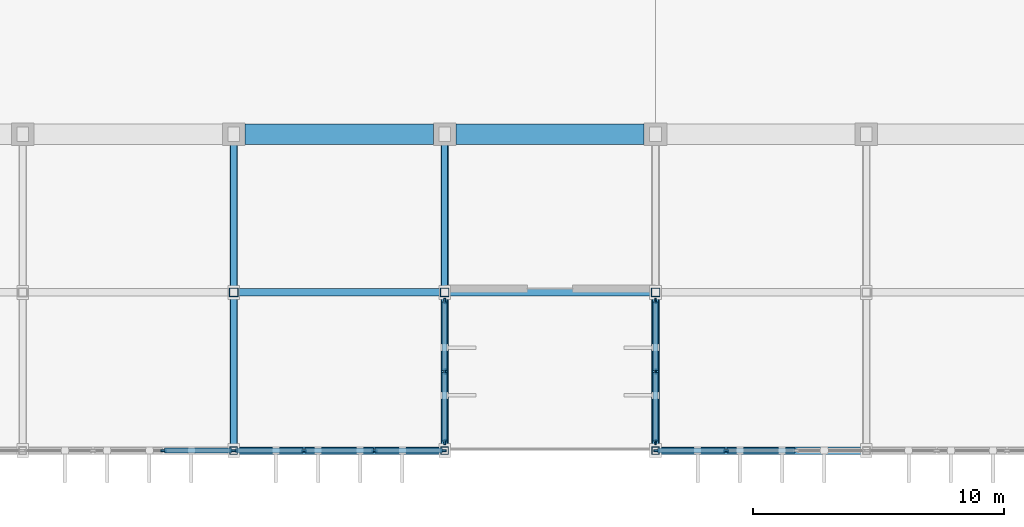
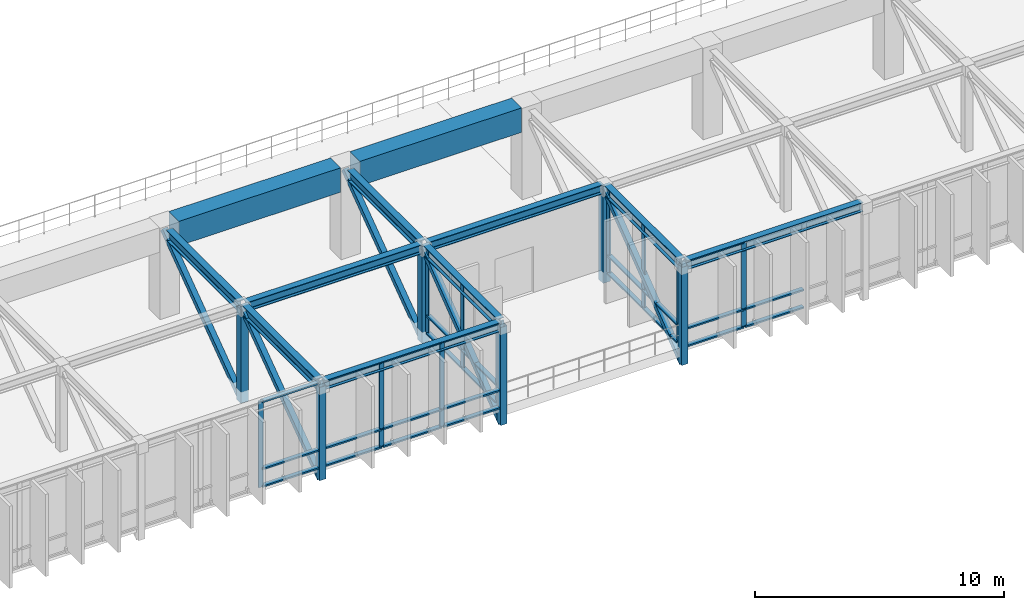
# One storey, part 7 of 40: 54 members, 11 beams, 5 elements without a shape of their own.
"""IFC4 building model written with IfcOpenShell, lengths in metres."""

from ifc_helpers import new_model, si_unit, direction, frame, origin, origin_2d, place, context, subcontext, project, spatial, rectangle, hollow_rectangle, i_section, extrude, material, material_profile, profile_set, type_object, element, aggregate, save


model = new_model("IFC4")

# Units and contexts
model_context = context("Model", 3, precision=1e-05, world=origin(), true_north=direction((0.0, 1.0)))
body_context = subcontext(model_context, "Body", "Model", "MODEL_VIEW")
ifc_project = project(units=[si_unit("LENGTHUNIT", "METRE"), si_unit("AREAUNIT", "SQUARE_METRE"), si_unit("VOLUMEUNIT", "CUBIC_METRE"), si_unit("PLANEANGLEUNIT", "RADIAN"), si_unit("MASSUNIT", "GRAM", prefix="KILO")], contexts=[model_context])

# Site, building, storey
site_placement = place(None, origin())
site = spatial("IfcSite", under=ifc_project, at=site_placement, CompositionType="ELEMENT")
building_placement = place(site_placement, origin())
building = spatial("IfcBuilding", under=site, at=building_placement, Name="Kenerak Square Central Library", CompositionType="ELEMENT")
storey_placement = place(building_placement, frame((0.0, 0.0, 14.39990234375)))
storey = spatial("IfcBuildingStorey", under=building, at=storey_placement, Name="L03", CompositionType="ELEMENT", Elevation=14.39990234375)

# Beams
ifc_material_1 = material(Name="Steel S355", Category="steel")
ifc_material_profile_1 = material_profile(ifc_material_1, i_section(OverallWidth=0.300048828125, OverallDepth=0.5, WebThickness=0.014404296875, FlangeThickness=0.028076171875, FilletRadius=0.027099609375, at=origin_2d()), Name="HEB 500")
ifc_profile_set_1 = profile_set([ifc_material_profile_1], Name="Steel S355")
beam_type_1 = type_object("IfcBeamType", Name="Backspan Steel Girder SB-03 HEB 500 S355", PredefinedType="BEAM", material=ifc_profile_set_1)
beam_1_placement = place(storey_placement, frame((75.199951171875, 4.320068359375, 4.025146484375), z_axis=(0.0, 1.0, 0.0), x_axis=(-1.0, 0.0, 0.0)))
element("IfcBeam", 1, at=beam_1_placement, inside=storey, type_object=beam_type_1, Name="Wall-Truss Chord 3 L03 039", PredefinedType="BEAM", context=body_context, shape_type="SweptSolid", body=[
    extrude(i_section(OverallWidth=0.300048828125, OverallDepth=0.5, WebThickness=0.014404296875, FlangeThickness=0.028076171875, FilletRadius=0.027099609375, at=origin_2d()), origin(), (0.0, 0.0, 1.0), 6.059814453125),
])
beam_2_placement = place(storey_placement, frame((75.199951171875, 10.6201171875, 4.025146484375), z_axis=(0.0, 1.0, 0.0), x_axis=(-1.0, 0.0, 0.0)))
element("IfcBeam", 2, at=beam_2_placement, inside=storey, type_object=beam_type_1, Name="Wall-Truss Chord 3 L03 040", PredefinedType="BEAM", context=body_context, shape_type="SweptSolid", body=[
    extrude(i_section(OverallWidth=0.300048828125, OverallDepth=0.5, WebThickness=0.014404296875, FlangeThickness=0.028076171875, FilletRadius=0.027099609375, at=origin_2d()), origin(), (0.0, 0.0, 1.0), 5.77978515625),
])
beam_3_placement = place(storey_placement, frame((83.60009765625, 4.320068359375, 4.025146484375), z_axis=(0.0, 1.0, 0.0), x_axis=(-1.0, 0.0, 0.0)))
element("IfcBeam", 3, at=beam_3_placement, inside=storey, type_object=beam_type_1, Name="Wall-Truss Chord 4 L03 055", PredefinedType="BEAM", context=body_context, shape_type="SweptSolid", body=[
    extrude(i_section(OverallWidth=0.300048828125, OverallDepth=0.5, WebThickness=0.014404296875, FlangeThickness=0.028076171875, FilletRadius=0.027099609375, at=origin_2d()), origin(), (0.0, 0.0, 1.0), 6.059814453125),
])
beam_4_placement = place(storey_placement, frame((83.60009765625, 10.6201171875, 4.025146484375), z_axis=(0.0, 1.0, 0.0), x_axis=(-1.0, 0.0, 0.0)))
element("IfcBeam", 4, at=beam_4_placement, inside=storey, type_object=beam_type_1, Name="Wall-Truss Chord 4 L03 056", PredefinedType="BEAM", context=body_context, shape_type="SweptSolid", body=[
    extrude(i_section(OverallWidth=0.300048828125, OverallDepth=0.5, WebThickness=0.014404296875, FlangeThickness=0.028076171875, FilletRadius=0.027099609375, at=origin_2d()), origin(), (0.0, 0.0, 1.0), 5.77978515625),
])
beam_5_placement = place(storey_placement, frame((92.0, 4.320068359375, 4.025146484375), z_axis=(0.0, 1.0, 0.0), x_axis=(-1.0, 0.0, 0.0)))
element("IfcBeam", 5, at=beam_5_placement, inside=storey, type_object=beam_type_1, Name="Wall-Truss Chord 5 L03 071", PredefinedType="BEAM", context=body_context, shape_type="SweptSolid", body=[
    extrude(i_section(OverallWidth=0.300048828125, OverallDepth=0.5, WebThickness=0.014404296875, FlangeThickness=0.028076171875, FilletRadius=0.027099609375, at=origin_2d()), origin(), (0.0, 0.0, 1.0), 6.059814453125),
])

# Curtain wall, members
ifc_material_2 = material(Name="Anodised aluminium and solar-control low-E glazing", Category="aluminium")
curtain_wall_type_1 = type_object("IfcCurtainWallType", Name="Curtain Wall CW-V1-84x42 8400x4230", PredefinedType="USERDEFINED", material=ifc_material_2)
curtain_wall_1_placement = place(storey_placement, origin())
curtain_wall_1 = element("IfcCurtainWall", 6, at=curtain_wall_1_placement, inside=storey, type_object=curtain_wall_type_1, Name="Curtain Wall CW-V1-84x42 L03 0131", ObjectType="CURTAIN WALL", PredefinedType="USERDEFINED")
ifc_material_3 = material(Name="Anodised aluminium 6063-T6", Category="aluminium")
ifc_material_profile_2 = material_profile(ifc_material_3, rectangle(XDim=0.074951171875, YDim=0.219970703125, at=origin_2d()), Name="AL MULLION 75x220")
ifc_profile_set_2 = profile_set([ifc_material_profile_2], Name="Anodised aluminium 6063-T6")
member_type_1 = type_object("IfcMemberType", Name="Curtain Mullion CM-02 75x220", PredefinedType="MULLION", material=ifc_profile_set_2)
member_1_placement = place(storey_placement, frame((94.800048828125, 4.199951171875, 0.0), z_axis=(0.0, 0.0, 1.0), x_axis=(0.0, -1.0, 0.0)))
member_1 = element("IfcMember", 7, at=member_1_placement, type_object=member_type_1, Name="CW-V1-84x42 Mullion 3", PredefinedType="MULLION", context=body_context, shape_type="SweptSolid", body=[
    extrude(rectangle(XDim=0.074951171875, YDim=0.219970703125, at=origin_2d()), origin(), (0.0, 0.0, 1.0), 4.22998046875),
])
member_2_placement = place(storey_placement, frame((92.03759765625, 4.199951171875, 0.0), z_axis=(0.0, 0.0, 1.0), x_axis=(0.0, -1.0, 0.0)))
member_2 = element("IfcMember", 8, at=member_2_placement, type_object=member_type_1, Name="CW-V1-84x42 Mullion 4", PredefinedType="MULLION", context=body_context, shape_type="SweptSolid", body=[
    extrude(rectangle(XDim=0.074951171875, YDim=0.219970703125, at=origin_2d()), origin(), (0.0, 0.0, 1.0), 4.22998046875),
])

curtain_wall_type_2 = type_object("IfcCurtainWallType", Name="Curtain Wall CW-V1-57x42 5700x4230", PredefinedType="USERDEFINED", material=ifc_material_2)
curtain_wall_2_placement = place(storey_placement, origin())
curtain_wall_2 = element("IfcCurtainWall", 9, at=curtain_wall_2_placement, inside=storey, type_object=curtain_wall_type_2, Name="Curtain Wall CW-V1-57x42 L03 0132", ObjectType="CURTAIN WALL", PredefinedType="USERDEFINED")
member_3_placement = place(storey_placement, frame((92.0, 4.53759765625, 0.0), z_axis=(0.0, 0.0, 1.0), x_axis=(-1.0, 0.0, 0.0)))
member_3 = element("IfcMember", 10, at=member_3_placement, type_object=member_type_1, Name="CW-V1-57x42 Mullion 1", PredefinedType="MULLION", context=body_context, shape_type="SweptSolid", body=[
    extrude(rectangle(XDim=0.074951171875, YDim=0.219970703125, at=origin_2d()), origin(), (0.0, 0.0, 1.0), 4.22998046875),
])
member_4_placement = place(storey_placement, frame((92.0, 7.35009765625, 0.0), z_axis=(0.0, 0.0, 1.0), x_axis=(-1.0, 0.0, 0.0)))
member_4 = element("IfcMember", 11, at=member_4_placement, type_object=member_type_1, Name="CW-V1-57x42 Mullion 2", PredefinedType="MULLION", context=body_context, shape_type="SweptSolid", body=[
    extrude(rectangle(XDim=0.074951171875, YDim=0.219970703125, at=origin_2d()), origin(), (0.0, 0.0, 1.0), 4.22998046875),
])
member_5_placement = place(storey_placement, frame((92.0, 10.16259765625, 0.0), z_axis=(0.0, 0.0, 1.0), x_axis=(-1.0, 0.0, 0.0)))
member_5 = element("IfcMember", 12, at=member_5_placement, type_object=member_type_1, Name="CW-V1-57x42 Mullion 3", PredefinedType="MULLION", context=body_context, shape_type="SweptSolid", body=[
    extrude(rectangle(XDim=0.074951171875, YDim=0.219970703125, at=origin_2d()), origin(), (0.0, 0.0, 1.0), 4.22998046875),
])

curtain_wall_3_placement = place(storey_placement, origin())
curtain_wall_3 = element("IfcCurtainWall", 13, at=curtain_wall_3_placement, inside=storey, type_object=curtain_wall_type_2, Name="Curtain Wall CW-V1-57x42 L03 0133", ObjectType="CURTAIN WALL", PredefinedType="USERDEFINED")
member_6_placement = place(storey_placement, frame((83.60009765625, 10.16259765625, 0.0), z_axis=(0.0, 0.0, 1.0), x_axis=(1.0, 0.0, 0.0)))
member_6 = element("IfcMember", 14, at=member_6_placement, type_object=member_type_1, Name="CW-V1-57x42 Mullion 1", PredefinedType="MULLION", context=body_context, shape_type="SweptSolid", body=[
    extrude(rectangle(XDim=0.074951171875, YDim=0.219970703125, at=origin_2d()), origin(), (0.0, 0.0, 1.0), 4.22998046875),
])
member_7_placement = place(storey_placement, frame((83.60009765625, 7.35009765625, 0.0), z_axis=(0.0, 0.0, 1.0), x_axis=(1.0, 0.0, 0.0)))
member_7 = element("IfcMember", 15, at=member_7_placement, type_object=member_type_1, Name="CW-V1-57x42 Mullion 2", PredefinedType="MULLION", context=body_context, shape_type="SweptSolid", body=[
    extrude(rectangle(XDim=0.074951171875, YDim=0.219970703125, at=origin_2d()), origin(), (0.0, 0.0, 1.0), 4.22998046875),
])
member_8_placement = place(storey_placement, frame((83.60009765625, 4.53759765625, 0.0), z_axis=(0.0, 0.0, 1.0), x_axis=(1.0, 0.0, 0.0)))
member_8 = element("IfcMember", 16, at=member_8_placement, type_object=member_type_1, Name="CW-V1-57x42 Mullion 3", PredefinedType="MULLION", context=body_context, shape_type="SweptSolid", body=[
    extrude(rectangle(XDim=0.074951171875, YDim=0.219970703125, at=origin_2d()), origin(), (0.0, 0.0, 1.0), 4.22998046875),
])

curtain_wall_4_placement = place(storey_placement, origin())
curtain_wall_4 = element("IfcCurtainWall", 17, at=curtain_wall_4_placement, inside=storey, type_object=curtain_wall_type_1, Name="Curtain Wall CW-V1-84x42 L03 0134", ObjectType="CURTAIN WALL", PredefinedType="USERDEFINED")
member_9_placement = place(storey_placement, frame((83.5625, 4.199951171875, 0.0), z_axis=(0.0, 0.0, 1.0), x_axis=(0.0, -1.0, 0.0)))
member_9 = element("IfcMember", 18, at=member_9_placement, type_object=member_type_1, Name="CW-V1-84x42 Mullion 1", PredefinedType="MULLION", context=body_context, shape_type="SweptSolid", body=[
    extrude(rectangle(XDim=0.074951171875, YDim=0.219970703125, at=origin_2d()), origin(), (0.0, 0.0, 1.0), 4.22998046875),
])
member_10_placement = place(storey_placement, frame((80.800048828125, 4.199951171875, 0.0), z_axis=(0.0, 0.0, 1.0), x_axis=(0.0, -1.0, 0.0)))
member_10 = element("IfcMember", 19, at=member_10_placement, type_object=member_type_1, Name="CW-V1-84x42 Mullion 2", PredefinedType="MULLION", context=body_context, shape_type="SweptSolid", body=[
    extrude(rectangle(XDim=0.074951171875, YDim=0.219970703125, at=origin_2d()), origin(), (0.0, 0.0, 1.0), 4.22998046875),
])
member_11_placement = place(storey_placement, frame((78.0, 4.199951171875, 0.0), z_axis=(0.0, 0.0, 1.0), x_axis=(0.0, -1.0, 0.0)))
member_11 = element("IfcMember", 20, at=member_11_placement, type_object=member_type_1, Name="CW-V1-84x42 Mullion 3", PredefinedType="MULLION", context=body_context, shape_type="SweptSolid", body=[
    extrude(rectangle(XDim=0.074951171875, YDim=0.219970703125, at=origin_2d()), origin(), (0.0, 0.0, 1.0), 4.22998046875),
])
member_12_placement = place(storey_placement, frame((75.237548828125, 4.199951171875, 0.0), z_axis=(0.0, 0.0, 1.0), x_axis=(0.0, -1.0, 0.0)))
member_12 = element("IfcMember", 21, at=member_12_placement, type_object=member_type_1, Name="CW-V1-84x42 Mullion 4", PredefinedType="MULLION", context=body_context, shape_type="SweptSolid", body=[
    extrude(rectangle(XDim=0.074951171875, YDim=0.219970703125, at=origin_2d()), origin(), (0.0, 0.0, 1.0), 4.22998046875),
])

curtain_wall_5_placement = place(storey_placement, origin())
curtain_wall_5 = element("IfcCurtainWall", 22, at=curtain_wall_5_placement, inside=storey, type_object=curtain_wall_type_1, Name="Curtain Wall CW-V1-84x42 L03 0135", ObjectType="CURTAIN WALL", PredefinedType="USERDEFINED")
member_13_placement = place(storey_placement, frame((75.16259765625, 4.199951171875, 0.0), z_axis=(0.0, 0.0, 1.0), x_axis=(0.0, -1.0, 0.0)))
member_13 = element("IfcMember", 23, at=member_13_placement, type_object=member_type_1, Name="CW-V1-84x42 Mullion 1", PredefinedType="MULLION", context=body_context, shape_type="SweptSolid", body=[
    extrude(rectangle(XDim=0.074951171875, YDim=0.219970703125, at=origin_2d()), origin(), (0.0, 0.0, 1.0), 4.22998046875),
])
member_14_placement = place(storey_placement, frame((72.39990234375, 4.199951171875, 0.0), z_axis=(0.0, 0.0, 1.0), x_axis=(0.0, -1.0, 0.0)))
member_14 = element("IfcMember", 24, at=member_14_placement, type_object=member_type_1, Name="CW-V1-84x42 Mullion 2", PredefinedType="MULLION", context=body_context, shape_type="SweptSolid", body=[
    extrude(rectangle(XDim=0.074951171875, YDim=0.219970703125, at=origin_2d()), origin(), (0.0, 0.0, 1.0), 4.22998046875),
])

# Member
ifc_material_profile_3 = material_profile(ifc_material_3, rectangle(XDim=0.199951171875, YDim=0.074951171875, at=origin_2d()), Name="AL TRANSOM 200x75")
ifc_profile_set_3 = profile_set([ifc_material_profile_3], Name="Anodised aluminium 6063-T6")
member_type_2 = type_object("IfcMemberType", Name="Curtain Transom CT-12 200x75", PredefinedType="USERDEFINED", material=ifc_profile_set_3)
member_15_placement = place(storey_placement, frame((97.5625, 4.199951171875, 0.03759765625), z_axis=(-1.0, 0.0, 0.0), x_axis=(0.0, -1.0, 0.0)))
member_15 = element("IfcMember", 25, at=member_15_placement, type_object=member_type_2, Name="CW-V1-84x42 Transom 2.1", ObjectType="TRANSOM", PredefinedType="USERDEFINED", context=body_context, shape_type="SweptSolid", body=[
    extrude(rectangle(XDim=0.199951171875, YDim=0.074951171875, at=origin_2d()), origin(), (0.0, 0.0, 1.0), 2.72509765625),
])

member_16_placement = place(storey_placement, frame((97.5625, 4.199951171875, 0.900146484375), z_axis=(-1.0, 0.0, 0.0), x_axis=(0.0, -1.0, 0.0)))
member_16 = element("IfcMember", 26, at=member_16_placement, type_object=member_type_2, Name="CW-V1-84x42 Transom 2.2", ObjectType="TRANSOM", PredefinedType="USERDEFINED", context=body_context, shape_type="SweptSolid", body=[
    extrude(rectangle(XDim=0.199951171875, YDim=0.074951171875, at=origin_2d()), origin(), (0.0, 0.0, 1.0), 2.72509765625),
])

member_17_placement = place(storey_placement, frame((94.762451171875, 4.199951171875, 0.03759765625), z_axis=(-1.0, 0.0, 0.0), x_axis=(0.0, -1.0, 0.0)))
member_17 = element("IfcMember", 27, at=member_17_placement, type_object=member_type_2, Name="CW-V1-84x42 Transom 3.1", ObjectType="TRANSOM", PredefinedType="USERDEFINED", context=body_context, shape_type="SweptSolid", body=[
    extrude(rectangle(XDim=0.199951171875, YDim=0.074951171875, at=origin_2d()), origin(), (0.0, 0.0, 1.0), 2.6875),
])

member_18_placement = place(storey_placement, frame((94.762451171875, 4.199951171875, 0.900146484375), z_axis=(-1.0, 0.0, 0.0), x_axis=(0.0, -1.0, 0.0)))
member_18 = element("IfcMember", 28, at=member_18_placement, type_object=member_type_2, Name="CW-V1-84x42 Transom 3.2", ObjectType="TRANSOM", PredefinedType="USERDEFINED", context=body_context, shape_type="SweptSolid", body=[
    extrude(rectangle(XDim=0.199951171875, YDim=0.074951171875, at=origin_2d()), origin(), (0.0, 0.0, 1.0), 2.6875),
])

member_19_placement = place(storey_placement, frame((94.762451171875, 4.199951171875, 4.192626953125), z_axis=(-1.0, 0.0, 0.0), x_axis=(0.0, -1.0, 0.0)))
member_19 = element("IfcMember", 29, at=member_19_placement, type_object=member_type_2, Name="CW-V1-84x42 Transom 3.3", ObjectType="TRANSOM", PredefinedType="USERDEFINED", context=body_context, shape_type="SweptSolid", body=[
    extrude(rectangle(XDim=0.199951171875, YDim=0.074951171875, at=origin_2d()), origin(), (0.0, 0.0, 1.0), 2.6875),
])

aggregate(curtain_wall_1, [member_1, member_2, member_15, member_16, member_17, member_18, member_19])

member_20_placement = place(storey_placement, frame((92.0, 4.574951171875, 0.03759765625), z_axis=(0.0, 1.0, 0.0), x_axis=(-1.0, 0.0, 0.0)))
member_20 = element("IfcMember", 30, at=member_20_placement, type_object=member_type_2, Name="CW-V1-57x42 Transom 1.1", ObjectType="TRANSOM", PredefinedType="USERDEFINED", context=body_context, shape_type="SweptSolid", body=[
    extrude(rectangle(XDim=0.199951171875, YDim=0.074951171875, at=origin_2d()), origin(), (0.0, 0.0, 1.0), 2.737548828125),
])

member_21_placement = place(storey_placement, frame((92.0, 4.574951171875, 0.900146484375), z_axis=(0.0, 1.0, 0.0), x_axis=(-1.0, 0.0, 0.0)))
member_21 = element("IfcMember", 31, at=member_21_placement, type_object=member_type_2, Name="CW-V1-57x42 Transom 1.2", ObjectType="TRANSOM", PredefinedType="USERDEFINED", context=body_context, shape_type="SweptSolid", body=[
    extrude(rectangle(XDim=0.199951171875, YDim=0.074951171875, at=origin_2d()), origin(), (0.0, 0.0, 1.0), 2.737548828125),
])

member_22_placement = place(storey_placement, frame((92.0, 4.574951171875, 4.192626953125), z_axis=(0.0, 1.0, 0.0), x_axis=(-1.0, 0.0, 0.0)))
member_22 = element("IfcMember", 32, at=member_22_placement, type_object=member_type_2, Name="CW-V1-57x42 Transom 1.3", ObjectType="TRANSOM", PredefinedType="USERDEFINED", context=body_context, shape_type="SweptSolid", body=[
    extrude(rectangle(XDim=0.199951171875, YDim=0.074951171875, at=origin_2d()), origin(), (0.0, 0.0, 1.0), 2.737548828125),
])

member_23_placement = place(storey_placement, frame((92.0, 7.387451171875, 0.03759765625), z_axis=(0.0, 1.0, 0.0), x_axis=(-1.0, 0.0, 0.0)))
member_23 = element("IfcMember", 33, at=member_23_placement, type_object=member_type_2, Name="CW-V1-57x42 Transom 2.1", ObjectType="TRANSOM", PredefinedType="USERDEFINED", context=body_context, shape_type="SweptSolid", body=[
    extrude(rectangle(XDim=0.199951171875, YDim=0.074951171875, at=origin_2d()), origin(), (0.0, 0.0, 1.0), 2.737548828125),
])

member_24_placement = place(storey_placement, frame((92.0, 7.387451171875, 0.900146484375), z_axis=(0.0, 1.0, 0.0), x_axis=(-1.0, 0.0, 0.0)))
member_24 = element("IfcMember", 34, at=member_24_placement, type_object=member_type_2, Name="CW-V1-57x42 Transom 2.2", ObjectType="TRANSOM", PredefinedType="USERDEFINED", context=body_context, shape_type="SweptSolid", body=[
    extrude(rectangle(XDim=0.199951171875, YDim=0.074951171875, at=origin_2d()), origin(), (0.0, 0.0, 1.0), 2.737548828125),
])

member_25_placement = place(storey_placement, frame((92.0, 7.387451171875, 4.192626953125), z_axis=(0.0, 1.0, 0.0), x_axis=(-1.0, 0.0, 0.0)))
member_25 = element("IfcMember", 35, at=member_25_placement, type_object=member_type_2, Name="CW-V1-57x42 Transom 2.3", ObjectType="TRANSOM", PredefinedType="USERDEFINED", context=body_context, shape_type="SweptSolid", body=[
    extrude(rectangle(XDim=0.199951171875, YDim=0.074951171875, at=origin_2d()), origin(), (0.0, 0.0, 1.0), 2.737548828125),
])

aggregate(curtain_wall_2, [member_3, member_4, member_5, member_20, member_21, member_22, member_23, member_24, member_25])

member_26_placement = place(storey_placement, frame((83.60009765625, 10.125, 0.03759765625), z_axis=(0.0, -1.0, 0.0), x_axis=(1.0, 0.0, 0.0)))
member_26 = element("IfcMember", 36, at=member_26_placement, type_object=member_type_2, Name="CW-V1-57x42 Transom 1.1", ObjectType="TRANSOM", PredefinedType="USERDEFINED", context=body_context, shape_type="SweptSolid", body=[
    extrude(rectangle(XDim=0.199951171875, YDim=0.074951171875, at=origin_2d()), origin(), (0.0, 0.0, 1.0), 2.737548828125),
])

member_27_placement = place(storey_placement, frame((83.60009765625, 10.125, 0.900146484375), z_axis=(0.0, -1.0, 0.0), x_axis=(1.0, 0.0, 0.0)))
member_27 = element("IfcMember", 37, at=member_27_placement, type_object=member_type_2, Name="CW-V1-57x42 Transom 1.2", ObjectType="TRANSOM", PredefinedType="USERDEFINED", context=body_context, shape_type="SweptSolid", body=[
    extrude(rectangle(XDim=0.199951171875, YDim=0.074951171875, at=origin_2d()), origin(), (0.0, 0.0, 1.0), 2.737548828125),
])

member_28_placement = place(storey_placement, frame((83.60009765625, 10.125, 4.192626953125), z_axis=(0.0, -1.0, 0.0), x_axis=(1.0, 0.0, 0.0)))
member_28 = element("IfcMember", 38, at=member_28_placement, type_object=member_type_2, Name="CW-V1-57x42 Transom 1.3", ObjectType="TRANSOM", PredefinedType="USERDEFINED", context=body_context, shape_type="SweptSolid", body=[
    extrude(rectangle(XDim=0.199951171875, YDim=0.074951171875, at=origin_2d()), origin(), (0.0, 0.0, 1.0), 2.737548828125),
])

member_29_placement = place(storey_placement, frame((83.60009765625, 7.3125, 0.03759765625), z_axis=(0.0, -1.0, 0.0), x_axis=(1.0, 0.0, 0.0)))
member_29 = element("IfcMember", 39, at=member_29_placement, type_object=member_type_2, Name="CW-V1-57x42 Transom 2.1", ObjectType="TRANSOM", PredefinedType="USERDEFINED", context=body_context, shape_type="SweptSolid", body=[
    extrude(rectangle(XDim=0.199951171875, YDim=0.074951171875, at=origin_2d()), origin(), (0.0, 0.0, 1.0), 2.737548828125),
])

member_30_placement = place(storey_placement, frame((83.60009765625, 7.3125, 0.900146484375), z_axis=(0.0, -1.0, 0.0), x_axis=(1.0, 0.0, 0.0)))
member_30 = element("IfcMember", 40, at=member_30_placement, type_object=member_type_2, Name="CW-V1-57x42 Transom 2.2", ObjectType="TRANSOM", PredefinedType="USERDEFINED", context=body_context, shape_type="SweptSolid", body=[
    extrude(rectangle(XDim=0.199951171875, YDim=0.074951171875, at=origin_2d()), origin(), (0.0, 0.0, 1.0), 2.737548828125),
])

member_31_placement = place(storey_placement, frame((83.60009765625, 7.3125, 4.192626953125), z_axis=(0.0, -1.0, 0.0), x_axis=(1.0, 0.0, 0.0)))
member_31 = element("IfcMember", 41, at=member_31_placement, type_object=member_type_2, Name="CW-V1-57x42 Transom 2.3", ObjectType="TRANSOM", PredefinedType="USERDEFINED", context=body_context, shape_type="SweptSolid", body=[
    extrude(rectangle(XDim=0.199951171875, YDim=0.074951171875, at=origin_2d()), origin(), (0.0, 0.0, 1.0), 2.737548828125),
])

aggregate(curtain_wall_3, [member_6, member_7, member_8, member_26, member_27, member_28, member_29, member_30, member_31])

member_32_placement = place(storey_placement, frame((83.52490234375, 4.199951171875, 0.03759765625), z_axis=(-1.0, 0.0, 0.0), x_axis=(0.0, -1.0, 0.0)))
member_32 = element("IfcMember", 42, at=member_32_placement, type_object=member_type_2, Name="CW-V1-84x42 Transom 1.1", ObjectType="TRANSOM", PredefinedType="USERDEFINED", context=body_context, shape_type="SweptSolid", body=[
    extrude(rectangle(XDim=0.199951171875, YDim=0.074951171875, at=origin_2d()), origin(), (0.0, 0.0, 1.0), 2.6875),
])

member_33_placement = place(storey_placement, frame((83.52490234375, 4.199951171875, 0.900146484375), z_axis=(-1.0, 0.0, 0.0), x_axis=(0.0, -1.0, 0.0)))
member_33 = element("IfcMember", 43, at=member_33_placement, type_object=member_type_2, Name="CW-V1-84x42 Transom 1.2", ObjectType="TRANSOM", PredefinedType="USERDEFINED", context=body_context, shape_type="SweptSolid", body=[
    extrude(rectangle(XDim=0.199951171875, YDim=0.074951171875, at=origin_2d()), origin(), (0.0, 0.0, 1.0), 2.6875),
])

member_34_placement = place(storey_placement, frame((83.52490234375, 4.199951171875, 4.192626953125), z_axis=(-1.0, 0.0, 0.0), x_axis=(0.0, -1.0, 0.0)))
member_34 = element("IfcMember", 44, at=member_34_placement, type_object=member_type_2, Name="CW-V1-84x42 Transom 1.3", ObjectType="TRANSOM", PredefinedType="USERDEFINED", context=body_context, shape_type="SweptSolid", body=[
    extrude(rectangle(XDim=0.199951171875, YDim=0.074951171875, at=origin_2d()), origin(), (0.0, 0.0, 1.0), 2.6875),
])

member_35_placement = place(storey_placement, frame((80.762451171875, 4.199951171875, 0.03759765625), z_axis=(-1.0, 0.0, 0.0), x_axis=(0.0, -1.0, 0.0)))
member_35 = element("IfcMember", 45, at=member_35_placement, type_object=member_type_2, Name="CW-V1-84x42 Transom 2.1", ObjectType="TRANSOM", PredefinedType="USERDEFINED", context=body_context, shape_type="SweptSolid", body=[
    extrude(rectangle(XDim=0.199951171875, YDim=0.074951171875, at=origin_2d()), origin(), (0.0, 0.0, 1.0), 2.724853515625),
])

member_36_placement = place(storey_placement, frame((80.762451171875, 4.199951171875, 0.900146484375), z_axis=(-1.0, 0.0, 0.0), x_axis=(0.0, -1.0, 0.0)))
member_36 = element("IfcMember", 46, at=member_36_placement, type_object=member_type_2, Name="CW-V1-84x42 Transom 2.2", ObjectType="TRANSOM", PredefinedType="USERDEFINED", context=body_context, shape_type="SweptSolid", body=[
    extrude(rectangle(XDim=0.199951171875, YDim=0.074951171875, at=origin_2d()), origin(), (0.0, 0.0, 1.0), 2.724853515625),
])

member_37_placement = place(storey_placement, frame((80.762451171875, 4.199951171875, 4.192626953125), z_axis=(-1.0, 0.0, 0.0), x_axis=(0.0, -1.0, 0.0)))
member_37 = element("IfcMember", 47, at=member_37_placement, type_object=member_type_2, Name="CW-V1-84x42 Transom 2.3", ObjectType="TRANSOM", PredefinedType="USERDEFINED", context=body_context, shape_type="SweptSolid", body=[
    extrude(rectangle(XDim=0.199951171875, YDim=0.074951171875, at=origin_2d()), origin(), (0.0, 0.0, 1.0), 2.724853515625),
])

member_38_placement = place(storey_placement, frame((77.96240234375, 4.199951171875, 0.03759765625), z_axis=(-1.0, 0.0, 0.0), x_axis=(0.0, -1.0, 0.0)))
member_38 = element("IfcMember", 48, at=member_38_placement, type_object=member_type_2, Name="CW-V1-84x42 Transom 3.1", ObjectType="TRANSOM", PredefinedType="USERDEFINED", context=body_context, shape_type="SweptSolid", body=[
    extrude(rectangle(XDim=0.199951171875, YDim=0.074951171875, at=origin_2d()), origin(), (0.0, 0.0, 1.0), 2.6875),
])

member_39_placement = place(storey_placement, frame((77.96240234375, 4.199951171875, 0.900146484375), z_axis=(-1.0, 0.0, 0.0), x_axis=(0.0, -1.0, 0.0)))
member_39 = element("IfcMember", 49, at=member_39_placement, type_object=member_type_2, Name="CW-V1-84x42 Transom 3.2", ObjectType="TRANSOM", PredefinedType="USERDEFINED", context=body_context, shape_type="SweptSolid", body=[
    extrude(rectangle(XDim=0.199951171875, YDim=0.074951171875, at=origin_2d()), origin(), (0.0, 0.0, 1.0), 2.6875),
])

member_40_placement = place(storey_placement, frame((77.96240234375, 4.199951171875, 4.192626953125), z_axis=(-1.0, 0.0, 0.0), x_axis=(0.0, -1.0, 0.0)))
member_40 = element("IfcMember", 50, at=member_40_placement, type_object=member_type_2, Name="CW-V1-84x42 Transom 3.3", ObjectType="TRANSOM", PredefinedType="USERDEFINED", context=body_context, shape_type="SweptSolid", body=[
    extrude(rectangle(XDim=0.199951171875, YDim=0.074951171875, at=origin_2d()), origin(), (0.0, 0.0, 1.0), 2.6875),
])

aggregate(curtain_wall_4, [member_9, member_10, member_11, member_12, member_32, member_33, member_34, member_35, member_36, member_37, member_38, member_39, member_40])

member_41_placement = place(storey_placement, frame((75.125, 4.199951171875, 0.03759765625), z_axis=(-1.0, 0.0, 0.0), x_axis=(0.0, -1.0, 0.0)))
member_41 = element("IfcMember", 51, at=member_41_placement, type_object=member_type_2, Name="CW-V1-84x42 Transom 1.1", ObjectType="TRANSOM", PredefinedType="USERDEFINED", context=body_context, shape_type="SweptSolid", body=[
    extrude(rectangle(XDim=0.199951171875, YDim=0.074951171875, at=origin_2d()), origin(), (0.0, 0.0, 1.0), 2.6875),
])

member_42_placement = place(storey_placement, frame((75.125, 4.199951171875, 0.900146484375), z_axis=(-1.0, 0.0, 0.0), x_axis=(0.0, -1.0, 0.0)))
member_42 = element("IfcMember", 52, at=member_42_placement, type_object=member_type_2, Name="CW-V1-84x42 Transom 1.2", ObjectType="TRANSOM", PredefinedType="USERDEFINED", context=body_context, shape_type="SweptSolid", body=[
    extrude(rectangle(XDim=0.199951171875, YDim=0.074951171875, at=origin_2d()), origin(), (0.0, 0.0, 1.0), 2.6875),
])

member_43_placement = place(storey_placement, frame((75.125, 4.199951171875, 4.192626953125), z_axis=(-1.0, 0.0, 0.0), x_axis=(0.0, -1.0, 0.0)))
member_43 = element("IfcMember", 53, at=member_43_placement, type_object=member_type_2, Name="CW-V1-84x42 Transom 1.3", ObjectType="TRANSOM", PredefinedType="USERDEFINED", context=body_context, shape_type="SweptSolid", body=[
    extrude(rectangle(XDim=0.199951171875, YDim=0.074951171875, at=origin_2d()), origin(), (0.0, 0.0, 1.0), 2.6875),
])

aggregate(curtain_wall_5, [member_13, member_14, member_41, member_42, member_43])

# Beams
ifc_material_4 = material(Name="Concrete C45/55", Category="concrete")
ifc_material_profile_4 = material_profile(ifc_material_4, rectangle(XDim=0.800048828125, YDim=1.199951171875, at=origin_2d()), Name="RC 800x1200")
ifc_profile_set_4 = profile_set([ifc_material_profile_4], Name="Concrete C45/55")
beam_type_2 = type_object("IfcBeamType", Name="Gridshell Ring Beam RB-01 RC 800x1200 C45/55", PredefinedType="BEAM", material=ifc_profile_set_4)
for number, where, z_axis, x_axis, name in (
    (54, (75.64990234375, 16.800048828125, 3.880126953125), (1.0, 0.0, 0.0), (0.0, 1.0, 0.0), "Gridshell Ring Beam RB-01 03"),
    (55, (84.050048828125, 16.800048828125, 3.880126953125), (1.0, 0.0, 0.0), (0.0, 1.0, 0.0), "Gridshell Ring Beam RB-01 04"),
):
    element("IfcBeam", number, at=place(storey_placement, frame(where, z_axis=z_axis, x_axis=x_axis)), inside=storey, type_object=beam_type_2, Name=name, PredefinedType="BEAM", context=body_context, shape_type="SweptSolid", body=[
        extrude(rectangle(XDim=0.800048828125, YDim=1.199951171875, at=origin_2d()), origin(), (0.0, 0.0, 1.0), 7.5),
    ])
ifc_material_profile_5 = material_profile(ifc_material_1, i_section(OverallWidth=0.300048828125, OverallDepth=0.449951171875, WebThickness=0.013916015625, FlangeThickness=0.02587890625, FilletRadius=0.027099609375, at=origin_2d()), Name="HEB 450")
ifc_profile_set_5 = profile_set([ifc_material_profile_5], Name="Steel S355")
beam_type_3 = type_object("IfcBeamType", Name="Overhang Cross Girder SB-04 HEB 450 S355", PredefinedType="BEAM", material=ifc_profile_set_5)
for number, where, z_axis, x_axis, name in (
    (56, (75.320068359375, 4.199951171875, 4.050048828125), (1.0, 0.0, 0.0), (0.0, 1.0, 0.0), "Overhang Cross Girder SB-04 L03 1735"),
    (57, (92.1201171875, 4.199951171875, 4.050048828125), (1.0, 0.0, 0.0), (0.0, 1.0, 0.0), "Overhang Cross Girder SB-04 L03 1736"),
    (58, (75.320068359375, 10.5, 4.050048828125), (1.0, 0.0, 0.0), (0.0, 1.0, 0.0), "Overhang Cross Girder SB-04 L03 1741"),
    (59, (83.719970703125, 10.5, 4.050048828125), (1.0, 0.0, 0.0), (0.0, 1.0, 0.0), "Overhang Cross Girder SB-04 L03 1742"),
):
    element("IfcBeam", number, at=place(storey_placement, frame(where, z_axis=z_axis, x_axis=x_axis)), inside=storey, type_object=beam_type_3, Name=name, PredefinedType="BEAM", context=body_context, shape_type="SweptSolid", body=[
        extrude(i_section(OverallWidth=0.300048828125, OverallDepth=0.449951171875, WebThickness=0.013916015625, FlangeThickness=0.02587890625, FilletRadius=0.027099609375, at=origin_2d()), origin(), (0.0, 0.0, 1.0), 8.159912109375),
    ])

# Members
ifc_material_profile_6 = material_profile(ifc_material_1, hollow_rectangle(XDim=0.35009765625, YDim=0.35009765625, WallThickness=0.01611328125, at=origin_2d()), Name="SHS 350x350x16.0")
ifc_profile_set_6 = profile_set([ifc_material_profile_6], Name="Steel S355")
member_type_3 = type_object("IfcMemberType", Name="Wall-Truss Heavy Post TM-01 SHS 350x350x16 S355", PredefinedType="STRUT", material=ifc_profile_set_6)
for number, where, z_axis, x_axis, name in (
    (60, (75.199951171875, 10.5, -0.5498046875), (0.0, 0.0, 1.0), (1.0, 0.0, 0.0), "Wall-Truss Post 3 L03 046"),
    (61, (83.60009765625, 10.5, -0.5498046875), (0.0, 0.0, 1.0), (1.0, 0.0, 0.0), "Wall-Truss Post 4 L03 062"),
    (62, (92.0, 10.5, -0.5498046875), (0.0, 0.0, 1.0), (1.0, 0.0, 0.0), "Wall-Truss Post 5 L03 078"),
):
    element("IfcMember", number, at=place(storey_placement, frame(where, z_axis=z_axis, x_axis=x_axis)), inside=storey, type_object=member_type_3, Name=name, PredefinedType="STRUT", context=body_context, shape_type="SweptSolid", body=[
        extrude(hollow_rectangle(XDim=0.35009765625, YDim=0.35009765625, WallThickness=0.01611328125, at=origin_2d()), origin(), (0.0, 0.0, 1.0), 4.574951171875),
    ])
ifc_material_profile_7 = material_profile(ifc_material_1, hollow_rectangle(XDim=0.300048828125, YDim=0.300048828125, WallThickness=0.012451171875, at=origin_2d()), Name="SHS 300x300x12.5")
ifc_profile_set_7 = profile_set([ifc_material_profile_7], Name="Steel S355")
member_type_4 = type_object("IfcMemberType", Name="Wall-Truss Vertical Post TM-02 SHS 300x300x12.5 S355", PredefinedType="STRUT", material=ifc_profile_set_7)
member_44_placement = place(storey_placement, frame((75.199951171875, 4.199951171875, -0.5498046875), z_axis=(0.0, 0.0, 1.0), x_axis=(1.0, 0.0, 0.0)))
element("IfcMember", 63, at=member_44_placement, inside=storey, type_object=member_type_4, Name="Wall-Truss Post 3 L03 045", PredefinedType="STRUT", context=body_context, shape_type="SweptSolid", body=[
    extrude(hollow_rectangle(XDim=0.300048828125, YDim=0.300048828125, WallThickness=0.012451171875, at=origin_2d()), origin(), (0.0, 0.0, 1.0), 4.574951171875),
])
for number, where, z_axis, x_axis, name in (
    (64, (83.60009765625, 4.199951171875, -0.77978515625), (0.0, 0.0, 1.0), (1.0, 0.0, 0.0), "Wall-Truss Post 4 L03 061"),
    (65, (92.0, 4.199951171875, -0.77978515625), (0.0, 0.0, 1.0), (1.0, 0.0, 0.0), "Wall-Truss Post 5 L03 077"),
):
    element("IfcMember", number, at=place(storey_placement, frame(where, z_axis=z_axis, x_axis=x_axis)), inside=storey, type_object=member_type_4, Name=name, PredefinedType="STRUT", context=body_context, shape_type="SweptSolid", body=[
        extrude(hollow_rectangle(XDim=0.300048828125, YDim=0.300048828125, WallThickness=0.012451171875, at=origin_2d()), origin(), (0.0, 0.0, 1.0), 4.804931640625),
    ])
ifc_material_profile_8 = material_profile(ifc_material_1, hollow_rectangle(XDim=0.25, YDim=0.25, WallThickness=0.010009765625, at=origin_2d()), Name="SHS 250x250x10.0")
ifc_profile_set_8 = profile_set([ifc_material_profile_8], Name="Steel S355")
member_type_5 = type_object("IfcMemberType", Name="Wall-Truss Web Diagonal TM-03 SHS 250x250x10 S355", PredefinedType="BRACE", material=ifc_profile_set_8)
for number, where, z_axis, x_axis, name in (
    (66, (75.199951171875, 4.199951171875, -0.5498046875), (0.0, 0.809157580603, 0.587591703271), (-1.0, 0.0, 0.0), "Wall-Truss Diagonal 3 L03 047"),
    (67, (75.199951171875, 10.5, -0.5498046875), (0.0, 0.809157580603, 0.587591703271), (-1.0, 0.0, 0.0), "Wall-Truss Diagonal 3 L03 048"),
):
    element("IfcMember", number, at=place(storey_placement, frame(where, z_axis=z_axis, x_axis=x_axis)), inside=storey, type_object=member_type_5, Name=name, PredefinedType="BRACE", context=body_context, shape_type="SweptSolid", body=[
        extrude(hollow_rectangle(XDim=0.25, YDim=0.25, WallThickness=0.010009765625, at=origin_2d()), origin(), (0.0, 0.0, 1.0), 7.785888671875),
    ])
member_45_placement = place(storey_placement, frame((83.60009765625, 4.199951171875, -0.77978515625), z_axis=(0.0, 0.795133837052, 0.606433987484), x_axis=(-1.0, 0.0, 0.0)))
element("IfcMember", 68, at=member_45_placement, inside=storey, type_object=member_type_5, Name="Wall-Truss Diagonal 4 L03 063", PredefinedType="BRACE", context=body_context, shape_type="SweptSolid", body=[
    extrude(hollow_rectangle(XDim=0.25, YDim=0.25, WallThickness=0.010009765625, at=origin_2d()), origin(), (0.0, 0.0, 1.0), 7.92333984375),
])
member_46_placement = place(storey_placement, frame((83.60009765625, 10.5, -0.5498046875), z_axis=(0.0, 0.809157580603, 0.587591703271), x_axis=(-1.0, 0.0, 0.0)))
element("IfcMember", 69, at=member_46_placement, inside=storey, type_object=member_type_5, Name="Wall-Truss Diagonal 4 L03 064", PredefinedType="BRACE", context=body_context, shape_type="SweptSolid", body=[
    extrude(hollow_rectangle(XDim=0.25, YDim=0.25, WallThickness=0.010009765625, at=origin_2d()), origin(), (0.0, 0.0, 1.0), 7.785888671875),
])
member_47_placement = place(storey_placement, frame((92.0, 4.199951171875, -0.77978515625), z_axis=(0.0, 0.795133837052, 0.606433987484), x_axis=(-1.0, 0.0, 0.0)))
element("IfcMember", 70, at=member_47_placement, inside=storey, type_object=member_type_5, Name="Wall-Truss Diagonal 5 L03 079", PredefinedType="BRACE", context=body_context, shape_type="SweptSolid", body=[
    extrude(hollow_rectangle(XDim=0.25, YDim=0.25, WallThickness=0.010009765625, at=origin_2d()), origin(), (0.0, 0.0, 1.0), 7.92333984375),
])

save(model, "model.ifc")
